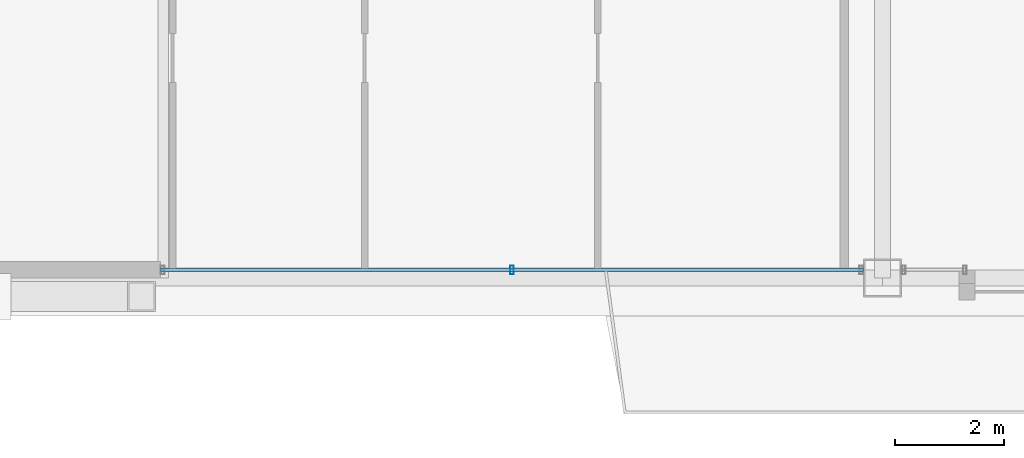
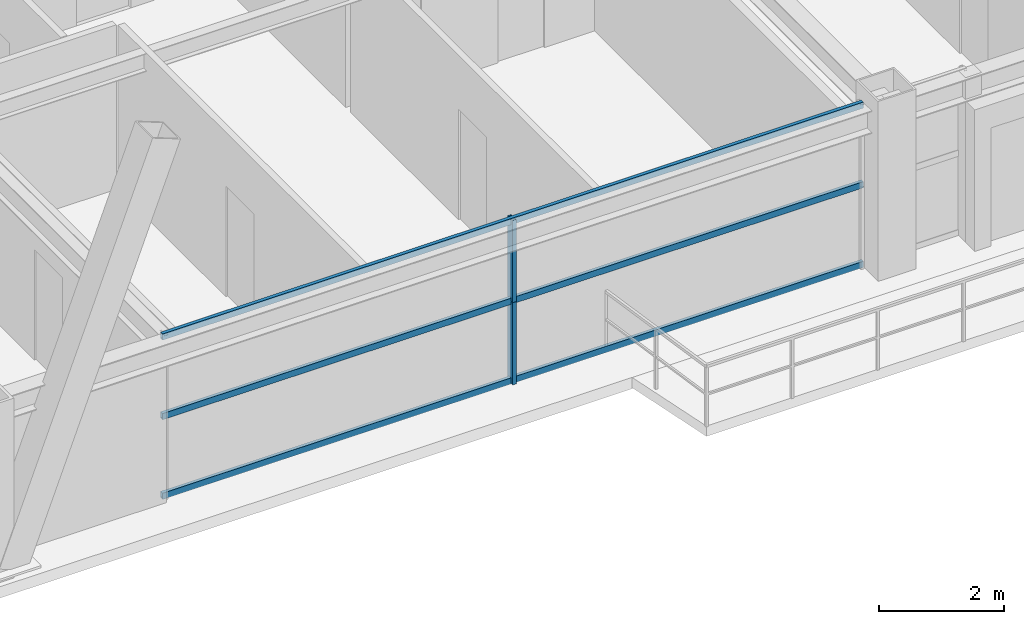
# One storey, part 5 of 36: 5 members, 1 element without a shape of its own.
"""IFC4 building model written with IfcOpenShell, lengths in metres."""

from ifc_helpers import new_model, si_unit, direction, frame, origin, origin_2d, place, context, subcontext, project, spatial, hollow_rectangle, extrude, source, transform, mapped, material, layer, layer_set, material_profile, profile_set, type_object, element, aggregate, save


model = new_model("IFC4")

# Units and contexts
model_context = context("Model", 3, precision=1e-05, world=origin(), true_north=direction((0.0, 1.0)))
body_context = subcontext(model_context, "Body", "Model", "MODEL_VIEW")
ifc_project = project(units=[si_unit("LENGTHUNIT", "METRE"), si_unit("AREAUNIT", "SQUARE_METRE"), si_unit("VOLUMEUNIT", "CUBIC_METRE"), si_unit("PLANEANGLEUNIT", "RADIAN"), si_unit("MASSUNIT", "GRAM", prefix="KILO"), si_unit("THERMODYNAMICTEMPERATUREUNIT", "KELVIN"), si_unit("POWERUNIT", "WATT")], contexts=[model_context])

# Site, building, storey
site_placement = place(None, origin())
site = spatial("IfcSite", under=ifc_project, at=site_placement, CompositionType="ELEMENT")
building_placement = place(site_placement, origin())
building = spatial("IfcBuilding", under=site, at=building_placement, Name="Yuzanri Waterfront Tower", CompositionType="ELEMENT")
storey_placement = place(building_placement, frame((0.0, 0.0, 255.60009765625)))
storey = spatial("IfcBuildingStorey", under=building, at=storey_placement, Name="L68", CompositionType="ELEMENT", Elevation=255.60009765625)

# Curtain wall, members
ifc_material_1 = material(Name="Anodized Architectural Bronze", Category="metal")
ifc_layer = layer(ifc_material_1, 0.159912109375)
ifc_layer_set = layer_set([ifc_layer], Name="Anodized Architectural Bronze")
curtain_wall_type = type_object("IfcCurtainWallType", Name="Anodized Bronze Mid-Rise Residential Acoustic Unitized Curtain Wall 7200", PredefinedType="NOTDEFINED", material=ifc_layer_set)
curtain_wall_placement = place(storey_placement, origin())
curtain_wall = element("IfcCurtainWall", 1, at=curtain_wall_placement, inside=storey, type_object=curtain_wall_type, Name="L68 Curtain Wall CW-L68-SL", PredefinedType="NOTDEFINED")
ifc_material_2 = material(Name="Anodized Architectural Bronze", Category="metal")
ifc_material_profile_1 = material_profile(ifc_material_2, hollow_rectangle(XDim=0.06494140625, YDim=0.1201171875, WallThickness=0.00341796875, at=origin_2d()), Name="CWT 65x120")
ifc_profile_set_1 = profile_set([ifc_material_profile_1], Name="Anodized Architectural Bronze")
member_type_1 = type_object("IfcMemberType", Name="Anodized Bronze Secondary Curtain-Wall Transom 65x120", PredefinedType="USERDEFINED", material=ifc_profile_set_1)
shared_shape_1 = source(origin(), body_context, "Body", "SweptSolid", [
    extrude(hollow_rectangle(XDim=0.06494140625, YDim=0.1201171875, WallThickness=0.00341796875, at=origin_2d()), origin(), (0.0, 0.0, 1.0), 12.89990234375),
])
member_1_placement = place(storey_placement, frame((23.75, 5.35009765625, 0.0498046875), z_axis=(1.0, 0.0, 0.0), x_axis=(0.0, 1.0, 0.0)))
member_1 = element("IfcMember", 2, at=member_1_placement, type_object=member_type_1, Name="CW-L68-SL Transom 1", ObjectType="TRANSOM", PredefinedType="USERDEFINED", context=body_context, shape_type="MappedRepresentation", body=[
    mapped(shared_shape_1, transform((0.0, 0.0, 0.0), scale=1.0)),
])
member_2_placement = place(storey_placement, frame((23.75, 5.35009765625, 1.599853515625), z_axis=(1.0, 0.0, 0.0), x_axis=(0.0, 1.0, 0.0)))
member_2 = element("IfcMember", 3, at=member_2_placement, type_object=member_type_1, Name="CW-L68-SL Transom 2", ObjectType="TRANSOM", PredefinedType="USERDEFINED", context=body_context, shape_type="MappedRepresentation", body=[
    mapped(shared_shape_1, transform((0.0, 0.0, 0.0), scale=1.0)),
])
member_3_placement = place(storey_placement, frame((23.75, 5.35009765625, 3.14990234375), z_axis=(1.0, 0.0, 0.0), x_axis=(0.0, 1.0, 0.0)))
member_3 = element("IfcMember", 4, at=member_3_placement, type_object=member_type_1, Name="CW-L68-SL Transom 3", ObjectType="TRANSOM", PredefinedType="USERDEFINED", context=body_context, shape_type="MappedRepresentation", body=[
    mapped(shared_shape_1, transform((0.0, 0.0, 0.0), scale=1.0)),
])
ifc_material_3 = material(Name="Anodized Architectural Bronze", Category="metal")
ifc_material_profile_2 = material_profile(ifc_material_3, hollow_rectangle(XDim=0.06494140625, YDim=0.159912109375, WallThickness=0.00341796875, at=origin_2d()), Name="CWM 65x160")
ifc_profile_set_2 = profile_set([ifc_material_profile_2], Name="Anodized Architectural Bronze")
member_type_2 = type_object("IfcMemberType", Name="Anodized Bronze Upper-Zone Curtain-Wall Mullion 65x160", PredefinedType="MULLION", material=ifc_profile_set_2)
shared_shape_2 = source(origin(), body_context, "Body", "SweptSolid", [
    extrude(hollow_rectangle(XDim=0.06494140625, YDim=0.159912109375, WallThickness=0.00341796875, at=origin_2d()), origin(), (0.0, 0.0, 1.0), 1.597900390625),
])
member_4_placement = place(storey_placement, frame((30.199951171875, 5.35009765625, 0.0), z_axis=(0.0, 0.0, 1.0), x_axis=(1.0, 0.0, 0.0)))
member_4 = element("IfcMember", 5, at=member_4_placement, type_object=member_type_2, Name="CW-L68-SL Lower Mullion 01", PredefinedType="MULLION", context=body_context, shape_type="MappedRepresentation", body=[
    mapped(shared_shape_2, transform((0.0, 0.0, 0.0), scale=1.0)),
])
shared_shape_3 = source(origin(), body_context, "Body", "SweptSolid", [
    extrude(hollow_rectangle(XDim=0.06494140625, YDim=0.159912109375, WallThickness=0.00341796875, at=origin_2d()), origin(), (0.0, 0.0, 1.0), 1.59814453125),
])
member_5_placement = place(storey_placement, frame((30.199951171875, 5.35009765625, 1.601806640625), z_axis=(0.0, 0.0, 1.0), x_axis=(1.0, 0.0, 0.0)))
member_5 = element("IfcMember", 6, at=member_5_placement, type_object=member_type_2, Name="CW-L68-SL Upper Mullion 01", PredefinedType="MULLION", context=body_context, shape_type="MappedRepresentation", body=[
    mapped(shared_shape_3, transform((0.0, 0.0, 0.0), scale=1.0)),
])
aggregate(curtain_wall, [member_4, member_5, member_1, member_2, member_3])

save(model, "model.ifc")
